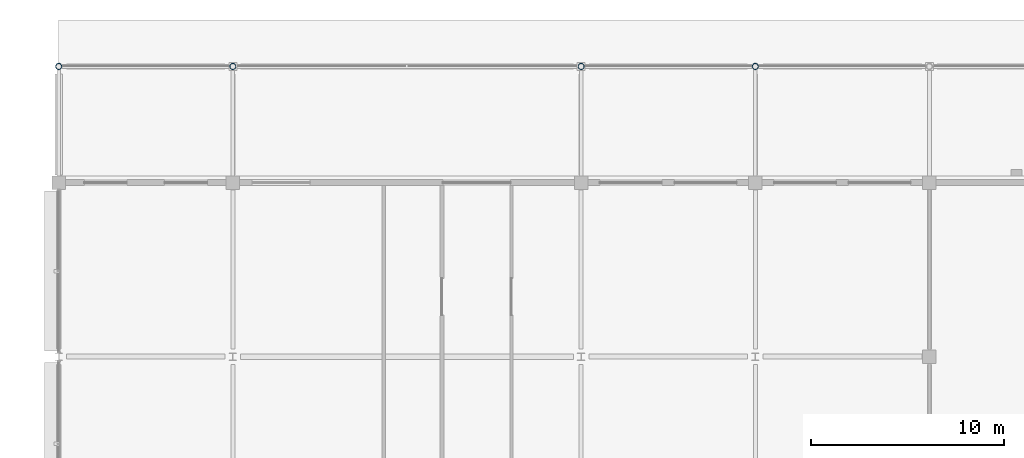
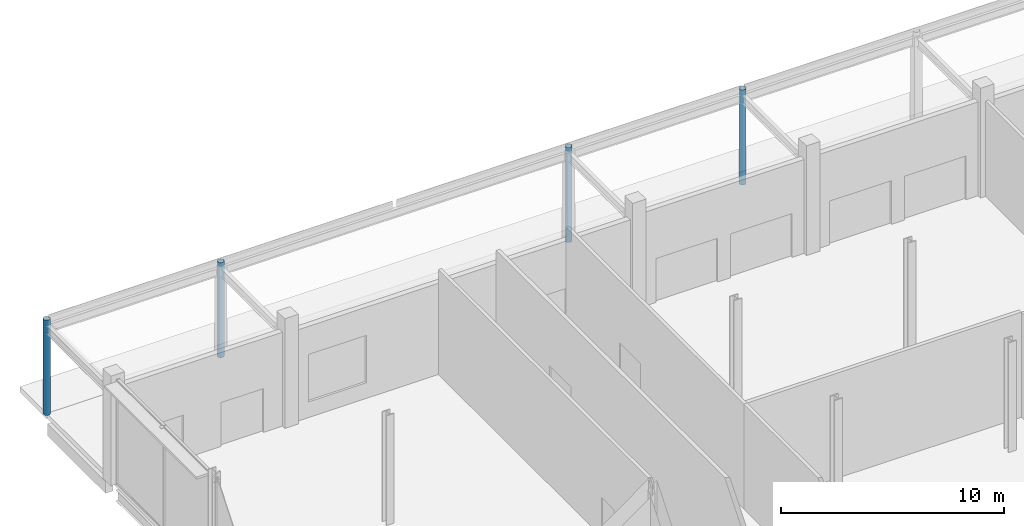
# One storey, part 16 of 84: 4 columns.
"""IFC4 building model written with IfcOpenShell, lengths in metres."""

import ifcopenshell
import ifcopenshell.guid

model = None  # the IFC model being written
_history = None  # IfcOwnerHistory: only IFC2X3 demands one
_inside = {}  # id of a spatial element -> (the spatial element, [elements in it])
_under = {}  # id of a project, library or spatial element -> (it, [spatial elements below it])
_declared = {}  # id of a project -> (the project, [libraries it declares])
_typed = {}  # id of a type object -> (the type object, [elements of that type])
_made_of = {}  # id of a material, layer set ... -> (it, [elements and type objects made of it])


def new_model(schema):
    """Start an empty IFC model of exactly this schema.

    Asked for "IFC4X3", IfcOpenShell would pick the latest addendum, in which some entities
    have other attributes; the version numbers below select the first issue.
    IFC2X3 requires an IfcOwnerHistory on every rooted entity: one is made here for all.
    """
    global model, _history
    if schema == "IFC4X3":
        model = ifcopenshell.file(schema_version=(4, 3, 0, 0))
    else:
        model = ifcopenshell.file(schema=schema)
    _inside.clear()
    _under.clear()
    _declared.clear()
    _typed.clear()
    _made_of.clear()
    _history = None
    if model.schema == "IFC2X3":
        org = make("IfcOrganization", Name="unknown")
        user = make(
            "IfcPersonAndOrganization",
            ThePerson=make("IfcPerson", FamilyName="unknown"),
            TheOrganization=org,
        )
        app = make(
            "IfcApplication",
            ApplicationDeveloper=org,
            Version="unknown",
            ApplicationFullName="unknown",
            ApplicationIdentifier="unknown",
        )
        _history = make(
            "IfcOwnerHistory",
            OwningUser=user,
            OwningApplication=app,
            ChangeAction="ADDED",
            CreationDate=0,
        )
    return model


def make(cls, **values):
    """One entity of the class cls with the attributes given. An attribute that is None is left unset."""
    return model.create_entity(
        cls, **{name: value for name, value in values.items() if value is not None}
    )


def rooted(cls, **values):
    """An entity with a GlobalId (a new one), such as an element, a storey or a relation."""
    return make(cls, GlobalId=ifcopenshell.guid.new(), OwnerHistory=_history, **values)


def si_unit(unit_type, name, prefix=None):
    """IfcSIUnit, for example si_unit("LENGTHUNIT", "METRE", prefix="MILLI")."""
    return make("IfcSIUnit", UnitType=unit_type, Prefix=prefix, Name=name)


def assignment(units):
    """IfcUnitAssignment: the units of a project."""
    return None if units is None else make("IfcUnitAssignment", Units=units)


def point(xyz):
    """IfcCartesianPoint."""
    return None if xyz is None else make("IfcCartesianPoint", Coordinates=xyz)


def direction(xyz):
    """IfcDirection."""
    return None if xyz is None else make("IfcDirection", DirectionRatios=xyz)


def frame(location, z_axis=None, x_axis=None):
    """IfcAxis2Placement3D, a coordinate frame: its origin and axes. An axis left out is left unset."""
    return make(
        "IfcAxis2Placement3D",
        Location=point(location),
        Axis=direction(z_axis),
        RefDirection=direction(x_axis),
    )


def frame_2d(location, x_axis=None):
    """IfcAxis2Placement2D, a coordinate frame in the plane: its origin and x axis."""
    return make(
        "IfcAxis2Placement2D", Location=point(location), RefDirection=direction(x_axis)
    )


def origin():
    """The frame at (0, 0, 0) with its axes left unset."""
    return frame((0.0, 0.0, 0.0))


def origin_2d():
    """The frame at (0, 0) in the plane with its x axis left unset."""
    return frame_2d((0.0, 0.0))


def place(relative_to, where):
    """IfcLocalPlacement: puts the frame where relative to a parent placement (None: the world)."""
    return make(
        "IfcLocalPlacement", PlacementRelTo=relative_to, RelativePlacement=where
    )


def context(
    kind, dimensions, precision=None, world=None, true_north=None, identifier=None
):
    """IfcGeometricRepresentationContext, for example the 3D "Model" context."""
    return make(
        "IfcGeometricRepresentationContext",
        ContextIdentifier=identifier,
        ContextType=kind,
        CoordinateSpaceDimension=dimensions,
        Precision=precision,
        WorldCoordinateSystem=world,
        TrueNorth=true_north,
    )


def subcontext(parent, identifier, kind, view, scale=None):
    """IfcGeometricRepresentationSubContext, for example "Body" below "Model"."""
    return make(
        "IfcGeometricRepresentationSubContext",
        ContextIdentifier=identifier,
        ContextType=kind,
        ParentContext=parent,
        TargetScale=scale,
        TargetView=view,
    )


def project(units=None, contexts=None):
    """IfcProject with its units and contexts."""
    return rooted(
        "IfcProject",
        Name="project",
        RepresentationContexts=contexts,
        UnitsInContext=assignment(units),
    )


def spatial(cls, under=None, at=None, **own):
    """A site, building, storey or space (cls), placed at a placement, below another one or the project."""
    s = rooted(cls, ObjectPlacement=at, **own)
    if under is not None:
        _under.setdefault(under.id(), (under, []))[1].append(s)
    return s


def profile(cls, at=None, kind="AREA", **sizes):
    """A parametric profile (cls). Its sizes go by their IFC names, for example OverallWidth=200.0."""
    return make(cls, ProfileType=kind, Position=at, **sizes)


def hollow_circle(**sizes):
    """IfcCircleHollowProfileDef."""
    return profile("IfcCircleHollowProfileDef", **sizes)


def extrude(swept, where, along, depth):
    """IfcExtrudedAreaSolid: the profile swept, set in the frame where, extruded along a direction by depth."""
    return make(
        "IfcExtrudedAreaSolid",
        SweptArea=swept,
        Position=where,
        ExtrudedDirection=direction(along),
        Depth=depth,
    )


def shape(context_of_items, identifier, shape_type, items):
    """IfcShapeRepresentation: the items that make up one representation, for example the "Body"."""
    return make(
        "IfcShapeRepresentation",
        ContextOfItems=context_of_items,
        RepresentationIdentifier=identifier,
        RepresentationType=shape_type,
        Items=items,
    )


def material(Name=None, Category=None):
    """IfcMaterial."""
    return make("IfcMaterial", Name=Name, Category=Category)


def material_profile(
    of_material, cross_section, Name=None, Category=None, Priority=None
):
    """IfcMaterialProfile: a cross section and its material."""
    return make(
        "IfcMaterialProfile",
        Name=Name,
        Material=of_material,
        Profile=cross_section,
        Priority=Priority,
        Category=Category,
    )


def profile_set(profiles, Name=None, composite=None):
    """IfcMaterialProfileSet."""
    return make(
        "IfcMaterialProfileSet",
        Name=Name,
        MaterialProfiles=profiles,
        CompositeProfile=composite,
    )


def made_of(thing, what):
    """Note that an element or type object is made of a material, layer set ...; save() writes the relation."""
    if what is not None:
        _made_of.setdefault(what.id(), (what, []))[1].append(thing)
    return thing


def type_object(cls, material=None, **own):
    """A type object (cls), such as IfcWallType, which elements share."""
    return made_of(rooted(cls, **own), material)


def element(
    cls,
    number,
    at=None,
    inside=None,
    cuts=None,
    type_object=None,
    material=None,
    context=None,
    identifier="Body",
    shape_type=None,
    held_by="IfcProductDefinitionShape",
    body=None,
    shapes=None,
    **own,
):
    """One element of the class cls, such as IfcWall. Its Tag is "e" and its number.

    at: its placement. inside: the storey or other place that contains it. cuts: it is an
    opening in that element (IfcRelVoidsElement). A single representation is given by context,
    identifier, shape_type and body (its items); several are given by shapes. held_by: the class
    of the entity that holds the representations. save() writes the other relations.
    """
    e = rooted(cls, Tag="e%d" % number, ObjectPlacement=at, **own)
    if body is not None:
        shapes = [shape(context, identifier, shape_type, body)]
    if shapes is not None:
        e.Representation = make(held_by, Representations=shapes)
    if inside is not None:
        _inside.setdefault(inside.id(), (inside, []))[1].append(e)
    if cuts is not None:
        rooted(
            "IfcRelVoidsElement", RelatingBuildingElement=cuts, RelatedOpeningElement=e
        )
    if type_object is not None:
        _typed.setdefault(type_object.id(), (type_object, []))[1].append(e)
    return made_of(e, material)


def aggregate(whole, parts):
    """IfcRelAggregates: a whole, such as a stair, and the parts it consists of."""
    return rooted("IfcRelAggregates", RelatingObject=whole, RelatedObjects=parts)


def save(model, path):
    """Write the relations noted so far, then the file.

    IfcRelAggregates (storeys below a building ...), IfcRelContainedInSpatialStructure (elements
    in a storey), IfcRelDefinesByType, IfcRelAssociatesMaterial and IfcRelDeclares: one each for
    every whole, place, type object, material and project.
    """
    for whole, parts in _under.values():
        aggregate(whole, parts)
    for where, things in _inside.values():
        rooted(
            "IfcRelContainedInSpatialStructure",
            RelatedElements=things,
            RelatingStructure=where,
        )
    for kind, things in _typed.values():
        rooted("IfcRelDefinesByType", RelatedObjects=things, RelatingType=kind)
    for what, things in _made_of.values():
        rooted("IfcRelAssociatesMaterial", RelatedObjects=things, RelatingMaterial=what)
    for by, libraries in _declared.values():
        rooted("IfcRelDeclares", RelatingContext=by, RelatedDefinitions=libraries)
    model.write(path)


model = new_model("IFC4")

# Units and contexts
model_context = context("Model", 3, precision=1e-05, world=origin(), true_north=direction((0.0, 1.0)))
body_context = subcontext(model_context, "Body", "Model", "MODEL_VIEW")
ifc_project = project(units=[si_unit("LENGTHUNIT", "METRE"), si_unit("AREAUNIT", "SQUARE_METRE"), si_unit("VOLUMEUNIT", "CUBIC_METRE"), si_unit("PLANEANGLEUNIT", "RADIAN"), si_unit("MASSUNIT", "GRAM", prefix="KILO")], contexts=[model_context])

# Site, building, storey
site_placement = place(None, origin())
site = spatial("IfcSite", under=ifc_project, at=site_placement, CompositionType="ELEMENT")
building_placement = place(site_placement, origin())
building = spatial("IfcBuilding", under=site, at=building_placement, Name="Kisiwana Market Hall", CompositionType="ELEMENT")
storey_placement = place(building_placement, origin())
storey = spatial("IfcBuildingStorey", under=building, at=storey_placement, Name="L00", CompositionType="ELEMENT", Elevation=0.0)

# Columns
ifc_material = material(Name="Steel S355", Category="steel")
ifc_material_profile = material_profile(ifc_material, hollow_circle(Radius=0.161865234375, WallThickness=0.01611328125, at=origin_2d()), Name="CHS 323.9x16.0")
ifc_profile_set = profile_set([ifc_material_profile], Name="Steel S355")
column_type = type_object("IfcColumnType", Name="COL-STL-CHS324", PredefinedType="COLUMN", material=ifc_profile_set)
for number, where, z_axis, x_axis, name in (
    (1, (0.0, 126.0, 0.0), (0.0, 0.0, 1.0), (1.0, 0.0, 0.0), "Column R/1 (L00) C-0194"),
    (2, (9.0, 126.0, 0.0), (0.0, 0.0, 1.0), (1.0, 0.0, 0.0), "Column R/2 (L00) C-0203"),
    (3, (27.0, 126.0, 0.0), (0.0, 0.0, 1.0), (1.0, 0.0, 0.0), "Column R/4 (L00) C-0213"),
    (4, (36.0, 126.0, 0.0), (0.0, 0.0, 1.0), (1.0, 0.0, 0.0), "Column R/5 (L00) C-0222"),
):
    element("IfcColumn", number, at=place(storey_placement, frame(where, z_axis=z_axis, x_axis=x_axis)), inside=storey, type_object=column_type, Name=name, PredefinedType="COLUMN", context=body_context, shape_type="SweptSolid", body=[
        extrude(hollow_circle(Radius=0.161865234375, WallThickness=0.01611328125, at=origin_2d()), origin(), (0.0, 0.0, 1.0), 5.199951171875),
    ])

save(model, "model.ifc")
